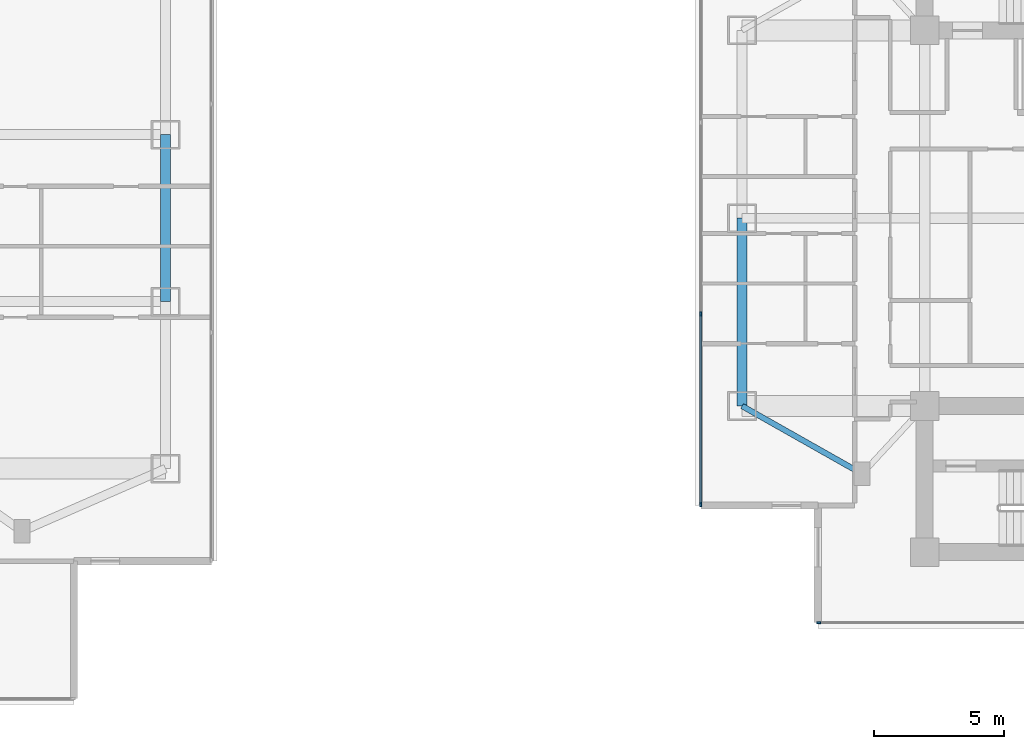
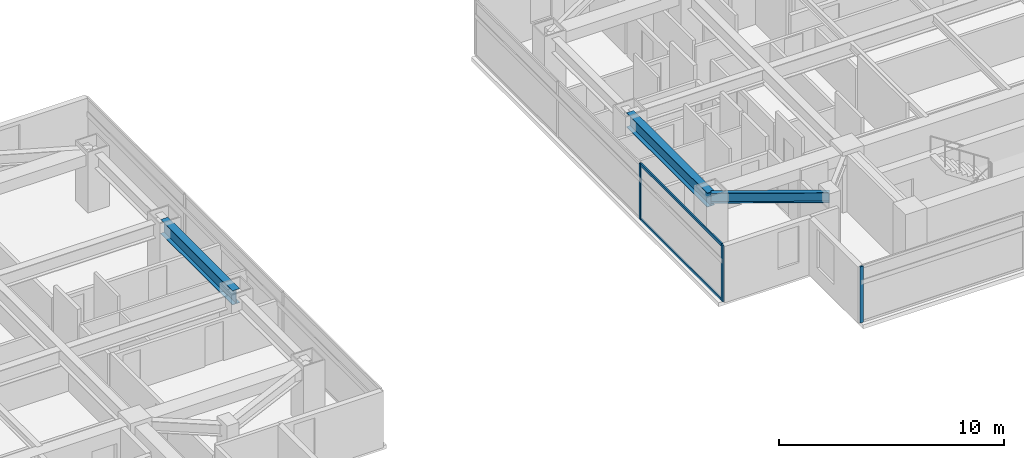
# One storey, part 5 of 26: 5 members, 3 beams, 2 elements without a shape of their own.
"""IFC4 building model written with IfcOpenShell, lengths in metres."""

import ifcopenshell
import ifcopenshell.guid

model = None  # the IFC model being written
_history = None  # IfcOwnerHistory: only IFC2X3 demands one
_inside = {}  # id of a spatial element -> (the spatial element, [elements in it])
_under = {}  # id of a project, library or spatial element -> (it, [spatial elements below it])
_declared = {}  # id of a project -> (the project, [libraries it declares])
_typed = {}  # id of a type object -> (the type object, [elements of that type])
_made_of = {}  # id of a material, layer set ... -> (it, [elements and type objects made of it])


def new_model(schema):
    """Start an empty IFC model of exactly this schema.

    Asked for "IFC4X3", IfcOpenShell would pick the latest addendum, in which some entities
    have other attributes; the version numbers below select the first issue.
    IFC2X3 requires an IfcOwnerHistory on every rooted entity: one is made here for all.
    """
    global model, _history
    if schema == "IFC4X3":
        model = ifcopenshell.file(schema_version=(4, 3, 0, 0))
    else:
        model = ifcopenshell.file(schema=schema)
    _inside.clear()
    _under.clear()
    _declared.clear()
    _typed.clear()
    _made_of.clear()
    _history = None
    if model.schema == "IFC2X3":
        org = make("IfcOrganization", Name="unknown")
        user = make(
            "IfcPersonAndOrganization",
            ThePerson=make("IfcPerson", FamilyName="unknown"),
            TheOrganization=org,
        )
        app = make(
            "IfcApplication",
            ApplicationDeveloper=org,
            Version="unknown",
            ApplicationFullName="unknown",
            ApplicationIdentifier="unknown",
        )
        _history = make(
            "IfcOwnerHistory",
            OwningUser=user,
            OwningApplication=app,
            ChangeAction="ADDED",
            CreationDate=0,
        )
    return model


def make(cls, **values):
    """One entity of the class cls with the attributes given. An attribute that is None is left unset."""
    return model.create_entity(
        cls, **{name: value for name, value in values.items() if value is not None}
    )


def rooted(cls, **values):
    """An entity with a GlobalId (a new one), such as an element, a storey or a relation."""
    return make(cls, GlobalId=ifcopenshell.guid.new(), OwnerHistory=_history, **values)


def si_unit(unit_type, name, prefix=None):
    """IfcSIUnit, for example si_unit("LENGTHUNIT", "METRE", prefix="MILLI")."""
    return make("IfcSIUnit", UnitType=unit_type, Prefix=prefix, Name=name)


def assignment(units):
    """IfcUnitAssignment: the units of a project."""
    return None if units is None else make("IfcUnitAssignment", Units=units)


def point(xyz):
    """IfcCartesianPoint."""
    return None if xyz is None else make("IfcCartesianPoint", Coordinates=xyz)


def direction(xyz):
    """IfcDirection."""
    return None if xyz is None else make("IfcDirection", DirectionRatios=xyz)


def frame(location, z_axis=None, x_axis=None):
    """IfcAxis2Placement3D, a coordinate frame: its origin and axes. An axis left out is left unset."""
    return make(
        "IfcAxis2Placement3D",
        Location=point(location),
        Axis=direction(z_axis),
        RefDirection=direction(x_axis),
    )


def frame_2d(location, x_axis=None):
    """IfcAxis2Placement2D, a coordinate frame in the plane: its origin and x axis."""
    return make(
        "IfcAxis2Placement2D", Location=point(location), RefDirection=direction(x_axis)
    )


def origin():
    """The frame at (0, 0, 0) with its axes left unset."""
    return frame((0.0, 0.0, 0.0))


def origin_2d():
    """The frame at (0, 0) in the plane with its x axis left unset."""
    return frame_2d((0.0, 0.0))


def place(relative_to, where):
    """IfcLocalPlacement: puts the frame where relative to a parent placement (None: the world)."""
    return make(
        "IfcLocalPlacement", PlacementRelTo=relative_to, RelativePlacement=where
    )


def context(
    kind, dimensions, precision=None, world=None, true_north=None, identifier=None
):
    """IfcGeometricRepresentationContext, for example the 3D "Model" context."""
    return make(
        "IfcGeometricRepresentationContext",
        ContextIdentifier=identifier,
        ContextType=kind,
        CoordinateSpaceDimension=dimensions,
        Precision=precision,
        WorldCoordinateSystem=world,
        TrueNorth=true_north,
    )


def subcontext(parent, identifier, kind, view, scale=None):
    """IfcGeometricRepresentationSubContext, for example "Body" below "Model"."""
    return make(
        "IfcGeometricRepresentationSubContext",
        ContextIdentifier=identifier,
        ContextType=kind,
        ParentContext=parent,
        TargetScale=scale,
        TargetView=view,
    )


def project(units=None, contexts=None):
    """IfcProject with its units and contexts."""
    return rooted(
        "IfcProject",
        Name="project",
        RepresentationContexts=contexts,
        UnitsInContext=assignment(units),
    )


def spatial(cls, under=None, at=None, **own):
    """A site, building, storey or space (cls), placed at a placement, below another one or the project."""
    s = rooted(cls, ObjectPlacement=at, **own)
    if under is not None:
        _under.setdefault(under.id(), (under, []))[1].append(s)
    return s


def profile(cls, at=None, kind="AREA", **sizes):
    """A parametric profile (cls). Its sizes go by their IFC names, for example OverallWidth=200.0."""
    return make(cls, ProfileType=kind, Position=at, **sizes)


def rectangle(**sizes):
    """IfcRectangleProfileDef."""
    return profile("IfcRectangleProfileDef", **sizes)


def i_section(**sizes):
    """IfcIShapeProfileDef."""
    return profile("IfcIShapeProfileDef", **sizes)


def extrude(swept, where, along, depth):
    """IfcExtrudedAreaSolid: the profile swept, set in the frame where, extruded along a direction by depth."""
    return make(
        "IfcExtrudedAreaSolid",
        SweptArea=swept,
        Position=where,
        ExtrudedDirection=direction(along),
        Depth=depth,
    )


def shape(context_of_items, identifier, shape_type, items):
    """IfcShapeRepresentation: the items that make up one representation, for example the "Body"."""
    return make(
        "IfcShapeRepresentation",
        ContextOfItems=context_of_items,
        RepresentationIdentifier=identifier,
        RepresentationType=shape_type,
        Items=items,
    )


def material(Name=None, Category=None):
    """IfcMaterial."""
    return make("IfcMaterial", Name=Name, Category=Category)


def material_profile(
    of_material, cross_section, Name=None, Category=None, Priority=None
):
    """IfcMaterialProfile: a cross section and its material."""
    return make(
        "IfcMaterialProfile",
        Name=Name,
        Material=of_material,
        Profile=cross_section,
        Priority=Priority,
        Category=Category,
    )


def profile_set(profiles, Name=None, composite=None):
    """IfcMaterialProfileSet."""
    return make(
        "IfcMaterialProfileSet",
        Name=Name,
        MaterialProfiles=profiles,
        CompositeProfile=composite,
    )


def made_of(thing, what):
    """Note that an element or type object is made of a material, layer set ...; save() writes the relation."""
    if what is not None:
        _made_of.setdefault(what.id(), (what, []))[1].append(thing)
    return thing


def type_object(cls, material=None, **own):
    """A type object (cls), such as IfcWallType, which elements share."""
    return made_of(rooted(cls, **own), material)


def element(
    cls,
    number,
    at=None,
    inside=None,
    cuts=None,
    type_object=None,
    material=None,
    context=None,
    identifier="Body",
    shape_type=None,
    held_by="IfcProductDefinitionShape",
    body=None,
    shapes=None,
    **own,
):
    """One element of the class cls, such as IfcWall. Its Tag is "e" and its number.

    at: its placement. inside: the storey or other place that contains it. cuts: it is an
    opening in that element (IfcRelVoidsElement). A single representation is given by context,
    identifier, shape_type and body (its items); several are given by shapes. held_by: the class
    of the entity that holds the representations. save() writes the other relations.
    """
    e = rooted(cls, Tag="e%d" % number, ObjectPlacement=at, **own)
    if body is not None:
        shapes = [shape(context, identifier, shape_type, body)]
    if shapes is not None:
        e.Representation = make(held_by, Representations=shapes)
    if inside is not None:
        _inside.setdefault(inside.id(), (inside, []))[1].append(e)
    if cuts is not None:
        rooted(
            "IfcRelVoidsElement", RelatingBuildingElement=cuts, RelatedOpeningElement=e
        )
    if type_object is not None:
        _typed.setdefault(type_object.id(), (type_object, []))[1].append(e)
    return made_of(e, material)


def aggregate(whole, parts):
    """IfcRelAggregates: a whole, such as a stair, and the parts it consists of."""
    return rooted("IfcRelAggregates", RelatingObject=whole, RelatedObjects=parts)


def save(model, path):
    """Write the relations noted so far, then the file.

    IfcRelAggregates (storeys below a building ...), IfcRelContainedInSpatialStructure (elements
    in a storey), IfcRelDefinesByType, IfcRelAssociatesMaterial and IfcRelDeclares: one each for
    every whole, place, type object, material and project.
    """
    for whole, parts in _under.values():
        aggregate(whole, parts)
    for where, things in _inside.values():
        rooted(
            "IfcRelContainedInSpatialStructure",
            RelatedElements=things,
            RelatingStructure=where,
        )
    for kind, things in _typed.values():
        rooted("IfcRelDefinesByType", RelatedObjects=things, RelatingType=kind)
    for what, things in _made_of.values():
        rooted("IfcRelAssociatesMaterial", RelatedObjects=things, RelatingMaterial=what)
    for by, libraries in _declared.values():
        rooted("IfcRelDeclares", RelatingContext=by, RelatedDefinitions=libraries)
    model.write(path)


model = new_model("IFC4")

# Units and contexts
model_context = context("Model", 3, precision=1e-05, world=origin(), true_north=direction((0.0, 1.0)))
body_context = subcontext(model_context, "Body", "Model", "MODEL_VIEW")
ifc_project = project(units=[si_unit("LENGTHUNIT", "METRE"), si_unit("AREAUNIT", "SQUARE_METRE"), si_unit("VOLUMEUNIT", "CUBIC_METRE"), si_unit("PLANEANGLEUNIT", "RADIAN"), si_unit("MASSUNIT", "GRAM", prefix="KILO")], contexts=[model_context])

# Site, building, storey
site_placement = place(None, origin())
site = spatial("IfcSite", under=ifc_project, at=site_placement, CompositionType="ELEMENT")
building_placement = place(site_placement, origin())
building = spatial("IfcBuilding", under=site, at=building_placement, Name="Mirazonda Arch Towers", CompositionType="ELEMENT")
storey_placement = place(building_placement, frame((0.0, 0.0, 121.39990234375)))
storey = spatial("IfcBuildingStorey", under=building, at=storey_placement, Name="L34", CompositionType="ELEMENT", Elevation=121.39990234375)

# Beams
ifc_material_1 = material(Name="Steel ASTM A992 Grade 50", Category="steel")
ifc_material_profile_1 = material_profile(ifc_material_1, i_section(OverallWidth=0.381103515625, OverallDepth=0.77294921875, WebThickness=0.0166015625, FlangeThickness=0.027099609375, at=origin_2d()), Name="W30X173")
ifc_profile_set_1 = profile_set([ifc_material_profile_1], Name="Steel ASTM A992 Grade 50")
beam_type_1 = type_object("IfcBeamType", Name="BM-EXT-W30X173", PredefinedType="USERDEFINED", material=ifc_profile_set_1)
beam_1_placement = place(storey_placement, frame((38.89990234375, 24.800048828125, 2.693603515625), z_axis=(0.0, 1.0, 0.0), x_axis=(-1.0, 0.0, 0.0)))
element("IfcBeam", 1, at=beam_1_placement, inside=storey, type_object=beam_type_1, Name="L34 Floor Beam BM-T1-L34-NS-E-24", ObjectType="GIRDER", PredefinedType="USERDEFINED", context=body_context, shape_type="SweptSolid", body=[
    extrude(i_section(OverallWidth=0.381103515625, OverallDepth=0.77294921875, WebThickness=0.0166015625, FlangeThickness=0.027099609375, at=origin_2d()), origin(), (0.0, 0.0, 1.0), 6.39990234375),
])
beam_2_placement = place(storey_placement, frame((61.0, 20.800048828125, 2.693603515625), z_axis=(0.0, 1.0, 0.0), x_axis=(-1.0, 0.0, 0.0)))
element("IfcBeam", 2, at=beam_2_placement, inside=storey, type_object=beam_type_1, Name="L34 Floor Beam BM-T2-L34-NS-W-20", ObjectType="GIRDER", PredefinedType="USERDEFINED", context=body_context, shape_type="SweptSolid", body=[
    extrude(i_section(OverallWidth=0.381103515625, OverallDepth=0.77294921875, WebThickness=0.0166015625, FlangeThickness=0.027099609375, at=origin_2d()), origin(), (0.0, 0.0, 1.0), 7.199951171875),
])
ifc_material_profile_2 = material_profile(ifc_material_1, i_section(OverallWidth=0.214111328125, OverallDepth=0.549072265625, WebThickness=0.0146484375, FlangeThickness=0.023681640625, at=origin_2d()), Name="W21X93")
ifc_profile_set_2 = profile_set([ifc_material_profile_2], Name="Steel ASTM A992 Grade 50")
beam_type_2 = type_object("IfcBeamType", Name="BM-INT-W21X93", PredefinedType="BEAM", material=ifc_profile_set_2)
beam_3_placement = place(storey_placement, frame((65.60009765625, 18.199951171875, 2.8056640625), z_axis=(-0.870559396632, 0.492063346467, 0.0), x_axis=(-0.492063346467, -0.870559396632, 0.0)))
element("IfcBeam", 3, at=beam_3_placement, inside=storey, type_object=beam_type_2, Name="L34 Floor Beam BM-T2-L34-PL-SW2", PredefinedType="BEAM", context=body_context, shape_type="SweptSolid", body=[
    extrude(i_section(OverallWidth=0.214111328125, OverallDepth=0.549072265625, WebThickness=0.0146484375, FlangeThickness=0.023681640625, at=origin_2d()), origin(), (0.0, 0.0, 1.0), 5.2841796875),
])

# Curtain wall, member
ifc_material_2 = material(Name="Anodised Aluminium and Low-E Glass", Category="aluminium")
curtain_wall_type = type_object("IfcCurtainWallType", Name="CW-HTL-UNIT", PredefinedType="NOTDEFINED", material=ifc_material_2)
curtain_wall_1_placement = place(storey_placement, origin())
curtain_wall_1 = element("IfcCurtainWall", 4, at=curtain_wall_1_placement, inside=storey, type_object=curtain_wall_type, Name="L34 T2 S Facade CW-L34-T2-S", PredefinedType="NOTDEFINED")
ifc_material_3 = material(Name="Anodised Aluminium Alloy", Category="aluminium")
ifc_material_profile_3 = material_profile(ifc_material_3, rectangle(XDim=0.074951171875, YDim=0.1650390625, at=origin_2d()), Name="ALU-MULL-75x165")
ifc_profile_set_3 = profile_set([ifc_material_profile_3], Name="Anodised Aluminium Alloy")
member_type_1 = type_object("IfcMemberType", Name="MULL-CW-HTL-UNIT", PredefinedType="MULLION", material=ifc_profile_set_3)
member_1_placement = place(storey_placement, frame((63.94091796875, 12.497802734375, 0.0), z_axis=(0.0, 0.0, 1.0), x_axis=(0.0, -1.0, 0.0)))
member_1 = element("IfcMember", 5, at=member_1_placement, type_object=member_type_1, Name="CW-112 mullion 4", PredefinedType="MULLION", context=body_context, shape_type="SweptSolid", body=[
    extrude(rectangle(XDim=0.074951171875, YDim=0.1650390625, at=origin_2d()), origin(), (0.0, 0.0, 1.0), 3.06005859375),
])
aggregate(curtain_wall_1, [member_1])

# Curtain wall, members
curtain_wall_2_placement = place(storey_placement, origin())
curtain_wall_2 = element("IfcCurtainWall", 6, at=curtain_wall_2_placement, inside=storey, type_object=curtain_wall_type, Name="L34 T2 W Facade CW-L34-T2-W", PredefinedType="NOTDEFINED")
member_2_placement = place(storey_placement, frame((59.4169921875, 24.328125, 0.0), z_axis=(0.0, 0.0, 1.0), x_axis=(1.0, 0.0, 0.0)))
member_2 = element("IfcMember", 7, at=member_2_placement, type_object=member_type_1, Name="CW-112 mullion 3", PredefinedType="MULLION", context=body_context, shape_type="SweptSolid", body=[
    extrude(rectangle(XDim=0.074951171875, YDim=0.1650390625, at=origin_2d()), origin(), (0.0, 0.0, 1.0), 3.06005859375),
])
member_3_placement = place(storey_placement, frame((59.4169921875, 17.021728515625, 0.0), z_axis=(0.0, 0.0, 1.0), x_axis=(1.0, 0.0, 0.0)))
member_3 = element("IfcMember", 8, at=member_3_placement, type_object=member_type_1, Name="CW-112 mullion 4", PredefinedType="MULLION", context=body_context, shape_type="SweptSolid", body=[
    extrude(rectangle(XDim=0.074951171875, YDim=0.1650390625, at=origin_2d()), origin(), (0.0, 0.0, 1.0), 3.06005859375),
])
ifc_material_profile_4 = material_profile(ifc_material_3, rectangle(XDim=0.074951171875, YDim=0.14501953125, at=origin_2d()), Name="ALU-TRAN-75x145")
ifc_profile_set_4 = profile_set([ifc_material_profile_4], Name="Anodised Aluminium Alloy")
member_type_2 = type_object("IfcMemberType", Name="TRAN-CW-HTL-UNIT", PredefinedType="USERDEFINED", material=ifc_profile_set_4)
member_4_placement = place(storey_placement, frame((59.4169921875, 24.29052734375, 0.03759765625), z_axis=(0.0, -1.0, 0.0), x_axis=(1.0, 0.0, 0.0)))
member_4 = element("IfcMember", 9, at=member_4_placement, type_object=member_type_2, Name="CW-112 transom 3.1", ObjectType="TRANSOM", PredefinedType="USERDEFINED", context=body_context, shape_type="SweptSolid", body=[
    extrude(rectangle(XDim=0.074951171875, YDim=0.14501953125, at=origin_2d()), origin(), (0.0, 0.0, 1.0), 7.2314453125),
])
member_5_placement = place(storey_placement, frame((59.4169921875, 24.29052734375, 3.022705078125), z_axis=(0.0, -1.0, 0.0), x_axis=(1.0, 0.0, 0.0)))
member_5 = element("IfcMember", 10, at=member_5_placement, type_object=member_type_2, Name="CW-112 transom 3.2", ObjectType="TRANSOM", PredefinedType="USERDEFINED", context=body_context, shape_type="SweptSolid", body=[
    extrude(rectangle(XDim=0.074951171875, YDim=0.14501953125, at=origin_2d()), origin(), (0.0, 0.0, 1.0), 7.2314453125),
])
aggregate(curtain_wall_2, [member_2, member_3, member_4, member_5])

save(model, "model.ifc")
